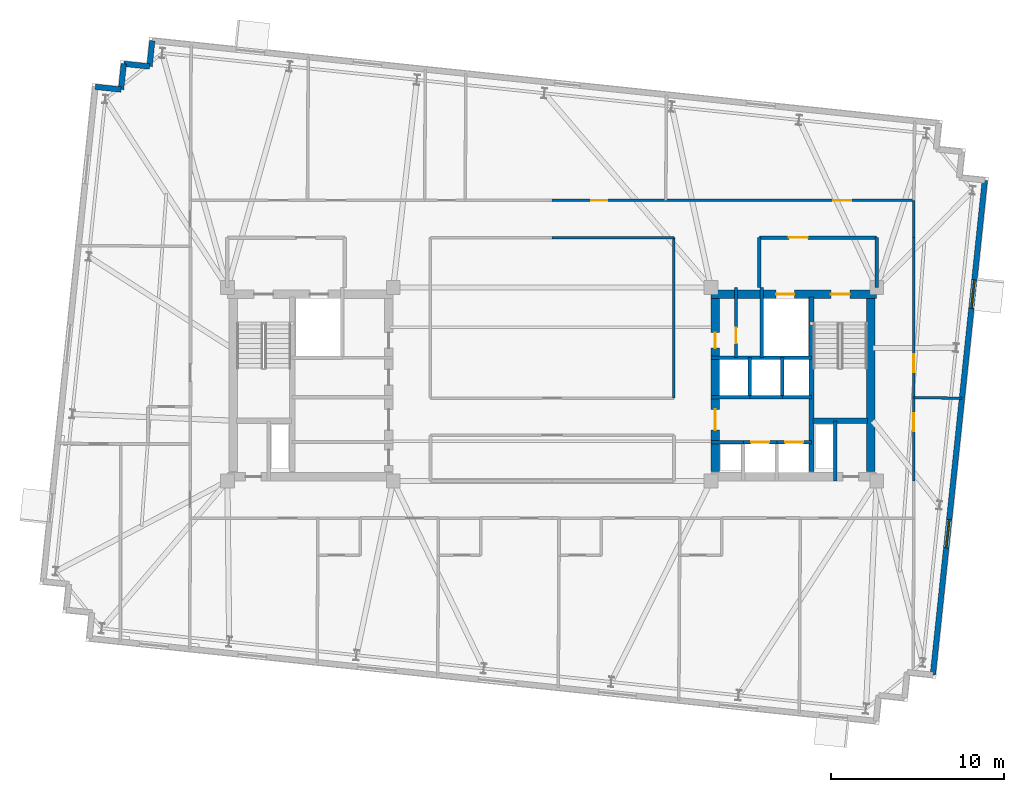
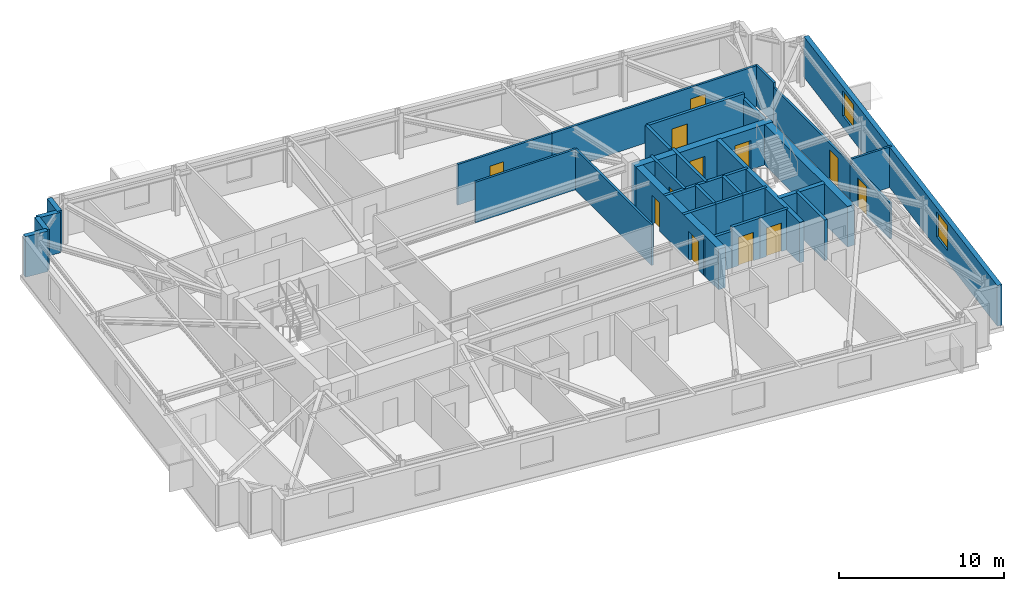
# One storey, part 8 of 11: 33 walls, 12 doors, 2 windows, 14 openings.
"""IFC4 building model written with IfcOpenShell, lengths in metres."""

from ifc_helpers import new_model, si_unit, direction, frame, frame_2d, origin, place, context, subcontext, project, spatial, rectangle, extrude, material, layer, layer_set, type_object, element, fill, save


model = new_model("IFC4")

# Units and contexts
model_context = context("Model", 3, precision=1e-05, world=origin(), true_north=direction((0.0, 1.0)))
body_context = subcontext(model_context, "Body", "Model", "MODEL_VIEW")
ifc_project = project(units=[si_unit("LENGTHUNIT", "METRE"), si_unit("AREAUNIT", "SQUARE_METRE"), si_unit("VOLUMEUNIT", "CUBIC_METRE"), si_unit("PLANEANGLEUNIT", "RADIAN"), si_unit("MASSUNIT", "GRAM", prefix="KILO")], contexts=[model_context])

# Site, building, storey
site_placement = place(None, origin())
site = spatial("IfcSite", under=ifc_project, at=site_placement, CompositionType="ELEMENT")
building_placement = place(site_placement, origin())
building = spatial("IfcBuilding", under=site, at=building_placement, Name="Qobustan Lattice House", CompositionType="ELEMENT")
storey_placement = place(building_placement, frame((0.0, 0.0, 219.85009765625)))
storey = spatial("IfcBuildingStorey", under=building, at=storey_placement, Name="L62", CompositionType="ELEMENT", Elevation=219.85009765625)

# Wall, openings, doors
ifc_material_1 = material(Name="Concrete C50/60", Category="concrete")
ifc_layer_1 = layer(ifc_material_1, 0.5)
ifc_layer_set_1 = layer_set([ifc_layer_1], Name="Concrete C50/60")
wall_type_1 = type_object("IfcWallType", Name="WAL-CORE-500", PredefinedType="SHEAR", material=ifc_layer_set_1)
wall_1_placement = place(storey_placement, frame((9.199951171875, 5.2099609375, 0.0), z_axis=(0.0, 0.0, 1.0), x_axis=(1.0, 0.0, 0.0)))
wall_1 = element("IfcWall", 1, at=wall_1_placement, inside=storey, type_object=wall_type_1, Name="L62 split-core shear wall CE-N", PredefinedType="SHEAR", context=body_context, shape_type="SweptSolid", body=[
    extrude(rectangle(XDim=9.60009765625, YDim=0.5, at=frame_2d((4.800048828125, 0.0))), origin(), (0.0, 0.0, 1.0), 3.0),
])
opening_1_placement = place(wall_1_placement, frame((6.949951171875, 0.0, 0.0)))
opening_1 = element("IfcOpeningElement", 2, at=opening_1_placement, cuts=wall_1, Name="Opening SD-01", PredefinedType="OPENING", context=body_context, shape_type="SweptSolid", body=[
    extrude(rectangle(XDim=1.10009765625, YDim=2.14990234375, at=frame_2d((0.550048828125, 1.074951171875))), frame((0.0, 0.260009765625, 0.0), z_axis=(0.0, -1.0, 0.0), x_axis=(1.0, 0.0, 0.0)), (0.0, 0.0, 1.0), 0.52001953125),
])
opening_2_placement = place(wall_1_placement, frame((3.77490234375, 0.0, 0.0)))
opening_2 = element("IfcOpeningElement", 3, at=opening_2_placement, cuts=wall_1, Name="Opening LD-01", PredefinedType="OPENING", context=body_context, shape_type="SweptSolid", body=[
    extrude(rectangle(XDim=1.050048828125, YDim=2.10009765625, at=frame_2d((0.52490234375, 1.050048828125))), frame((0.0, 0.260009765625, 0.0), z_axis=(0.0, -1.0, 0.0), x_axis=(1.0, 0.0, 0.0)), (0.0, 0.0, 1.0), 0.52001953125),
])
ifc_material_2 = material(Name="Persian walnut timber and steel frame door", Category="steel")
door_type_1 = type_object("IfcDoorType", Name="DOR-LIFT-LD-1050x2100", OperationType="NOTDEFINED", PredefinedType="DOOR", material=ifc_material_2)
door_1_placement = place(opening_2_placement, origin())
door_1 = element("IfcDoor", 4, at=door_1_placement, inside=storey, type_object=door_type_1, Name="L62 firefighting lift FF-E landing door", OperationType="DOUBLE_DOOR_SLIDING", OverallHeight=2.10009765625, OverallWidth=1.050048828125, PredefinedType="DOOR", context=body_context, shape_type="SweptSolid", body=[
    extrude(rectangle(XDim=1.050048828125, YDim=2.10009765625, at=frame_2d((0.52490234375, 1.050048828125))), frame((0.0, 0.02490234375, 0.0), z_axis=(0.0, -1.0, 0.0), x_axis=(1.0, 0.0, 0.0)), (0.0, 0.0, 1.0), 0.050048828125),
])
fill(opening_2, door_1)
ifc_material_3 = material(Name="Persian walnut timber and steel frame door", Category="steel")
door_type_2 = type_object("IfcDoorType", Name="DOR-STAIR-FD-1100x2150", OperationType="NOTDEFINED", PredefinedType="DOOR", material=ifc_material_3)
door_2_placement = place(opening_1_placement, origin())
door_2 = element("IfcDoor", 5, at=door_2_placement, inside=storey, type_object=door_type_2, Name="L62 exit stair ST-E1 fire door", OperationType="SINGLE_SWING_LEFT", OverallHeight=2.14990234375, OverallWidth=1.10009765625, PredefinedType="DOOR", context=body_context, shape_type="SweptSolid", body=[
    extrude(rectangle(XDim=1.10009765625, YDim=2.14990234375, at=frame_2d((0.550048828125, 1.074951171875))), frame((0.0, 0.02490234375, 0.0), z_axis=(0.0, -1.0, 0.0), x_axis=(1.0, 0.0, 0.0)), (0.0, 0.0, 1.0), 0.050048828125),
])
fill(opening_1, door_2)

wall_2_placement = place(storey_placement, frame((9.449951171875, -5.050048828125, 0.0), z_axis=(0.0, 0.0, 1.0), x_axis=(0.0, 1.0, 0.0)))
wall_2 = element("IfcWall", 6, at=wall_2_placement, inside=storey, type_object=wall_type_1, Name="L62 split-core shear wall CE-W", PredefinedType="SHEAR", context=body_context, shape_type="SweptSolid", body=[
    extrude(rectangle(XDim=10.10009765625, YDim=0.5, at=frame_2d((5.050048828125, 0.0))), origin(), (0.0, 0.0, 1.0), 3.0),
])
opening_3_placement = place(wall_2_placement, frame((7.14990234375, 0.0, 0.0)))
opening_3 = element("IfcOpeningElement", 7, at=opening_3_placement, cuts=wall_2, Name="Opening RD-01", PredefinedType="OPENING", context=body_context, shape_type="SweptSolid", body=[
    extrude(rectangle(XDim=0.89990234375, YDim=2.10009765625, at=frame_2d((0.449951171875, 1.050048828125))), frame((0.0, 0.260009765625, 0.0), z_axis=(0.0, -1.0, 0.0), x_axis=(1.0, 0.0, 0.0)), (0.0, 0.0, 1.0), 0.52001953125),
])
opening_4_placement = place(wall_2_placement, frame((2.39990234375, 0.0, 0.0)))
opening_4 = element("IfcOpeningElement", 8, at=opening_4_placement, cuts=wall_2, Name="Opening FD-01", PredefinedType="OPENING", context=body_context, shape_type="SweptSolid", body=[
    extrude(rectangle(XDim=1.199951171875, YDim=2.14990234375, at=frame_2d((0.60009765625, 1.074951171875))), frame((0.0, 0.260009765625, 0.0), z_axis=(0.0, -1.0, 0.0), x_axis=(1.0, 0.0, 0.0)), (0.0, 0.0, 1.0), 0.52001953125),
])
ifc_material_4 = material(Name="Persian walnut timber and steel frame door", Category="steel")
door_type_3 = type_object("IfcDoorType", Name="DOR-LOBBY-FD-1200x2150", OperationType="NOTDEFINED", PredefinedType="DOOR", material=ifc_material_4)
door_3_placement = place(opening_4_placement, origin())
door_3 = element("IfcDoor", 9, at=door_3_placement, inside=storey, type_object=door_type_3, Name="L62 East passenger lift lobby fire door", OperationType="SINGLE_SWING_RIGHT", OverallHeight=2.14990234375, OverallWidth=1.199951171875, PredefinedType="DOOR", context=body_context, shape_type="SweptSolid", body=[
    extrude(rectangle(XDim=1.199951171875, YDim=2.14990234375, at=frame_2d((0.60009765625, 1.074951171875))), frame((0.0, 0.02490234375, 0.0), z_axis=(0.0, -1.0, 0.0), x_axis=(1.0, 0.0, 0.0)), (0.0, 0.0, 1.0), 0.050048828125),
])
fill(opening_4, door_3)
ifc_material_5 = material(Name="Persian walnut timber and steel frame door", Category="steel")
door_type_4 = type_object("IfcDoorType", Name="DOR-RISER-FD-900x2100", OperationType="NOTDEFINED", PredefinedType="DOOR", material=ifc_material_5)
door_4_placement = place(opening_3_placement, origin())
door_4 = element("IfcDoor", 10, at=door_4_placement, inside=storey, type_object=door_type_4, Name="L62 Print and mail closet fire door", OperationType="SINGLE_SWING_LEFT", OverallHeight=2.10009765625, OverallWidth=0.89990234375, PredefinedType="DOOR", context=body_context, shape_type="SweptSolid", body=[
    extrude(rectangle(XDim=0.89990234375, YDim=2.10009765625, at=frame_2d((0.449951171875, 1.050048828125))), frame((0.0, 0.02490234375, 0.0), z_axis=(0.0, -1.0, 0.0), x_axis=(1.0, 0.0, 0.0)), (0.0, 0.0, 1.0), 0.050048828125),
])
fill(opening_3, door_4)

# Walls
wall_3_placement = place(storey_placement, frame((18.4599609375, -5.050048828125, 0.0), z_axis=(0.0, 0.0, 1.0), x_axis=(0.0, 1.0, 0.0)))
element("IfcWall", 11, at=wall_3_placement, inside=storey, type_object=wall_type_1, Name="L62 split-core shear wall CE-E", PredefinedType="SHEAR", context=body_context, shape_type="SweptSolid", body=[
    extrude(rectangle(XDim=10.10009765625, YDim=0.5, at=frame_2d((5.050048828125, 0.0))), origin(), (0.0, 0.0, 1.0), 3.0),
])
ifc_material_6 = material(Name="Concrete C50/60", Category="concrete")
ifc_layer_2 = layer(ifc_material_6, 0.280029296875)
ifc_layer_set_2 = layer_set([ifc_layer_2], Name="Concrete C50/60")
wall_type_2 = type_object("IfcWallType", Name="WAL-CORE-SPINE-280", PredefinedType="SHEAR", material=ifc_layer_set_2)
wall_4_placement = place(storey_placement, frame((15.02001953125, -5.050048828125, 0.0), z_axis=(0.0, 0.0, 1.0), x_axis=(0.0, 1.0, 0.0)))
element("IfcWall", 12, at=wall_4_placement, inside=storey, type_object=wall_type_2, Name="L62 split-core shear wall CE-M", PredefinedType="SHEAR", context=body_context, shape_type="SweptSolid", body=[
    extrude(rectangle(XDim=10.10009765625, YDim=0.300048828125, at=frame_2d((5.050048828125, 0.0))), origin(), (0.0, 0.0, 1.0), 3.0),
])
wall_5_placement = place(storey_placement, frame((15.10009765625, -2.110107421875, 0.0), z_axis=(0.0, 0.0, 1.0), x_axis=(1.0, 0.0, 0.0)))
element("IfcWall", 13, at=wall_5_placement, inside=storey, type_object=wall_type_2, Name="L62 split-core shear wall CE-ST", PredefinedType="SHEAR", context=body_context, shape_type="SweptSolid", body=[
    extrude(rectangle(XDim=3.179931640625, YDim=0.300048828125, at=frame_2d((1.58984375, 0.0))), origin(), (0.0, 0.0, 1.0), 3.0),
])
ifc_material_7 = material(Name="Precast concrete C40/50", Category="concrete")
ifc_layer_3 = layer(ifc_material_7, 0.320068359375)
ifc_layer_set_3 = layer_set([ifc_layer_3], Name="Precast concrete C40/50")
wall_type_3 = type_object("IfcWallType", Name="WAL-EXT-STONE-320", PredefinedType="SOLIDWALL", material=ifc_layer_set_3)
wall_6_placement = place(storey_placement, frame((-26.452880859375, 17.228515625, 0.0), z_axis=(0.0, 0.0, 1.0), x_axis=(0.994508128223, -0.104659366031, 0.0)))
element("IfcWall", 14, at=wall_6_placement, inside=storey, type_object=wall_type_3, Name="L62 exterior limestone-clad wall 6", PredefinedType="SOLIDWALL", context=body_context, shape_type="SweptSolid", body=[
    extrude(rectangle(XDim=1.5, YDim=0.320068359375, at=frame_2d((0.75, 0.0))), origin(), (0.0, 0.0, 1.0), 3.0),
])
wall_7_placement = place(storey_placement, frame((-24.961181640625, 17.071533203125, 0.0), z_axis=(0.0, 0.0, 1.0), x_axis=(0.104642427191, 0.994509910675, 0.0)))
element("IfcWall", 15, at=wall_7_placement, inside=storey, type_object=wall_type_3, Name="L62 exterior limestone-clad wall 7", PredefinedType="SOLIDWALL", context=body_context, shape_type="SweptSolid", body=[
    extrude(rectangle(XDim=1.500244140625, YDim=0.320068359375, at=frame_2d((0.75, 0.0))), origin(), (0.0, 0.0, 1.0), 3.0),
])
wall_8_placement = place(storey_placement, frame((-24.80419921875, 18.5634765625, 0.0), z_axis=(0.0, 0.0, 1.0), x_axis=(0.994508128223, -0.104659366031, 0.0)))
element("IfcWall", 16, at=wall_8_placement, inside=storey, type_object=wall_type_3, Name="L62 exterior limestone-clad wall 8", PredefinedType="SOLIDWALL", context=body_context, shape_type="SweptSolid", body=[
    extrude(rectangle(XDim=1.5, YDim=0.320068359375, at=frame_2d((0.75, 0.0))), origin(), (0.0, 0.0, 1.0), 3.0),
])
wall_9_placement = place(storey_placement, frame((-23.3125, 18.406494140625, 0.0), z_axis=(0.0, 0.0, 1.0), x_axis=(0.104481464157, 0.994526834051, 0.0)))
element("IfcWall", 17, at=wall_9_placement, inside=storey, type_object=wall_type_3, Name="L62 exterior limestone-clad wall 9", PredefinedType="SOLIDWALL", context=body_context, shape_type="SweptSolid", body=[
    extrude(rectangle(XDim=1.500244140625, YDim=0.320068359375, at=frame_2d((0.75, 0.0))), origin(), (0.0, 0.0, 1.0), 3.0),
])

# Wall, openings, windows
wall_10_placement = place(storey_placement, frame((25.063232421875, 11.813720703125, 0.0), z_axis=(0.0, 0.0, 1.0), x_axis=(-0.104523275986, -0.99452244056, 0.0)))
wall_10 = element("IfcWall", 18, at=wall_10_placement, inside=storey, type_object=wall_type_3, Name="L62 exterior limestone-clad wall 15", PredefinedType="SOLIDWALL", context=body_context, shape_type="SweptSolid", body=[
    extrude(rectangle(XDim=28.7998046875, YDim=0.320068359375, at=frame_2d((14.39990234375, 0.0))), origin(), (0.0, 0.0, 1.0), 3.0),
])
opening_5_placement = place(wall_10_placement, frame((5.79345703125, 0.0, 0.85009765625)))
opening_5 = element("IfcOpeningElement", 19, at=opening_5_placement, cuts=wall_10, Name="Opening WN-09", PredefinedType="OPENING", context=body_context, shape_type="SweptSolid", body=[
    extrude(rectangle(XDim=1.64990234375, YDim=1.85009765625, at=frame_2d((0.824951171875, 0.925048828125))), frame((0.0, 0.169921875, 0.0), z_axis=(0.0, -1.0, 0.0), x_axis=(1.0, 0.0, 0.0)), (0.0, 0.0, 1.0), 0.340087890625),
])
opening_6_placement = place(wall_10_placement, frame((19.752197265625, 0.0, 0.85009765625)))
opening_6 = element("IfcOpeningElement", 20, at=opening_6_placement, cuts=wall_10, Name="Opening WN-09", PredefinedType="OPENING", context=body_context, shape_type="SweptSolid", body=[
    extrude(rectangle(XDim=1.64990234375, YDim=1.85009765625, at=frame_2d((0.824951171875, 0.925048828125))), frame((0.0, 0.169921875, 0.0), z_axis=(0.0, -1.0, 0.0), x_axis=(1.0, 0.0, 0.0)), (0.0, 0.0, 1.0), 0.340087890625),
])
ifc_material_8 = material(Name="Double-glazed low-E aluminium window", Category="aluminium")
window_type = type_object("IfcWindowType", Name="WIN-STU-1650x1850", PartitioningType="SINGLE_PANEL", PredefinedType="WINDOW", material=ifc_material_8)
window_1_placement = place(opening_5_placement, origin())
window_1 = element("IfcWindow", 21, at=window_1_placement, inside=storey, type_object=window_type, Name="L62 Collaborative tutorial room window", OverallHeight=1.85009765625, OverallWidth=1.64990234375, PartitioningType="SINGLE_PANEL", PredefinedType="WINDOW", context=body_context, shape_type="SweptSolid", body=[
    extrude(rectangle(XDim=1.64990234375, YDim=1.85009765625, at=frame_2d((0.824951171875, 0.925048828125))), frame((0.0, 0.030029296875, 0.0), z_axis=(0.0, -1.0, 0.0), x_axis=(1.0, 0.0, 0.0)), (0.0, 0.0, 1.0), 0.06005859375),
])
fill(opening_5, window_1)
window_2_placement = place(opening_6_placement, origin())
window_2 = element("IfcWindow", 22, at=window_2_placement, inside=storey, type_object=window_type, Name="L62 Fellows reading room window", OverallHeight=1.85009765625, OverallWidth=1.64990234375, PartitioningType="SINGLE_PANEL", PredefinedType="WINDOW", context=body_context, shape_type="SweptSolid", body=[
    extrude(rectangle(XDim=1.64990234375, YDim=1.85009765625, at=frame_2d((0.824951171875, 0.925048828125))), frame((0.0, 0.030029296875, 0.0), z_axis=(0.0, -1.0, 0.0), x_axis=(1.0, 0.0, 0.0)), (0.0, 0.0, 1.0), 0.06005859375),
])
fill(opening_6, window_2)

# Wall, opening, door
ifc_material_9 = material(Name="Gypsum fireboard acoustic partition", Category="gypsum")
ifc_layer_4 = layer(ifc_material_9, 0.179931640625)
ifc_layer_set_4 = layer_set([ifc_layer_4], Name="Gypsum fireboard acoustic partition")
wall_type_4 = type_object("IfcWallType", Name="WAL-FIRE-180", PredefinedType="PARTITIONING", material=ifc_layer_set_4)
wall_11_placement = place(storey_placement, frame((10.64990234375, 1.550048828125, 0.0), z_axis=(0.0, 0.0, 1.0), x_axis=(0.0, 1.0, 0.0)))
wall_11 = element("IfcWall", 23, at=wall_11_placement, inside=storey, type_object=wall_type_4, Name="L62 interior partition 18", PredefinedType="PARTITIONING", context=body_context, shape_type="SweptSolid", body=[
    extrude(rectangle(XDim=4.050048828125, YDim=0.179931640625, at=frame_2d((2.02490234375, 0.0))), origin(), (0.0, 0.0, 1.0), 3.0),
])
opening_7_placement = place(wall_11_placement, frame((0.828857421875, 0.0, 0.0)))
opening_7 = element("IfcOpeningElement", 24, at=opening_7_placement, cuts=wall_11, Name="Opening RD-01", PredefinedType="OPENING", context=body_context, shape_type="SweptSolid", body=[
    extrude(rectangle(XDim=0.89990234375, YDim=2.10009765625, at=frame_2d((0.449951171875, 1.050048828125))), frame((0.0, 0.099853515625, 0.0), z_axis=(0.0, -1.0, 0.0), x_axis=(1.0, 0.0, 0.0)), (0.0, 0.0, 1.0), 0.199951171875),
])
door_5_placement = place(opening_7_placement, origin())
door_5 = element("IfcDoor", 25, at=door_5_placement, inside=storey, type_object=door_type_4, Name="L62 Print and mail closet to Core utility store door", OperationType="SINGLE_SWING_RIGHT", OverallHeight=2.10009765625, OverallWidth=0.89990234375, PredefinedType="DOOR", context=body_context, shape_type="SweptSolid", body=[
    extrude(rectangle(XDim=0.89990234375, YDim=2.10009765625, at=frame_2d((0.449951171875, 1.050048828125))), frame((0.0, 0.02490234375, 0.0), z_axis=(0.0, -1.0, 0.0), x_axis=(1.0, 0.0, 0.0)), (0.0, 0.0, 1.0), 0.050048828125),
])
fill(opening_7, door_5)

# Wall
ifc_material_10 = material(Name="Acoustic twin-stud gypsum partition", Category="gypsum")
ifc_layer_5 = layer(ifc_material_10, 0.14990234375)
ifc_layer_set_5 = layer_set([ifc_layer_5], Name="Acoustic twin-stud gypsum partition")
wall_type_5 = type_object("IfcWallType", Name="WAL-PART-150", PredefinedType="PARTITIONING", material=ifc_layer_set_5)
wall_12_placement = place(storey_placement, frame((20.949951171875, 10.64990234375, 0.0), z_axis=(0.0, 0.0, 1.0), x_axis=(0.0, -1.0, 0.0)))
element("IfcWall", 26, at=wall_12_placement, inside=storey, type_object=wall_type_5, Name="L62 interior partition 37", PredefinedType="PARTITIONING", context=body_context, shape_type="SweptSolid", body=[
    extrude(rectangle(XDim=2.14990234375, YDim=0.14990234375, at=frame_2d((1.074951171875, 0.0))), origin(), (0.0, 0.0, 1.0), 3.0),
])

# Wall, opening, door
wall_13_placement = place(storey_placement, frame((0.0, 10.64990234375, 0.0), z_axis=(0.0, 0.0, 1.0), x_axis=(1.0, 0.0, 0.0)))
wall_13 = element("IfcWall", 27, at=wall_13_placement, inside=storey, type_object=wall_type_5, Name="L62 interior partition 38", PredefinedType="PARTITIONING", context=body_context, shape_type="SweptSolid", body=[
    extrude(rectangle(XDim=6.5830078125, YDim=0.14990234375, at=frame_2d((3.29150390625, 0.0))), origin(), (0.0, 0.0, 1.0), 3.0),
])
opening_8_placement = place(wall_13_placement, frame((2.25732421875, 0.0, 0.0)))
opening_8 = element("IfcOpeningElement", 28, at=opening_8_placement, cuts=wall_13, Name="Opening ID-01", PredefinedType="OPENING", context=body_context, shape_type="SweptSolid", body=[
    extrude(rectangle(XDim=0.949951171875, YDim=2.10009765625, at=frame_2d((0.47509765625, 1.050048828125))), frame((0.0, 0.0849609375, 0.0), z_axis=(0.0, -1.0, 0.0), x_axis=(1.0, 0.0, 0.0)), (0.0, 0.0, 1.0), 0.169921875),
])
ifc_material_11 = material(Name="Persian walnut timber and steel frame door", Category="steel")
door_type_5 = type_object("IfcDoorType", Name="DOR-ROOM-950x2100", OperationType="NOTDEFINED", PredefinedType="DOOR", material=ifc_material_11)
door_6_placement = place(opening_8_placement, origin())
door_6 = element("IfcDoor", 29, at=door_6_placement, inside=storey, type_object=door_type_5, Name="L62 North-east floor corridor to Laundry utility room door", OperationType="SINGLE_SWING_LEFT", OverallHeight=2.10009765625, OverallWidth=0.949951171875, PredefinedType="DOOR", context=body_context, shape_type="SweptSolid", body=[
    extrude(rectangle(XDim=0.949951171875, YDim=2.10009765625, at=frame_2d((0.47509765625, 1.050048828125))), frame((0.0, 0.02490234375, 0.0), z_axis=(0.0, -1.0, 0.0), x_axis=(1.0, 0.0, 0.0)), (0.0, 0.0, 1.0), 0.050048828125),
])
fill(opening_8, door_6)

wall_14_placement = place(storey_placement, frame((6.5830078125, 10.64990234375, 0.0), z_axis=(0.0, 0.0, 1.0), x_axis=(1.0, 0.0, 0.0)))
wall_14 = element("IfcWall", 30, at=wall_14_placement, inside=storey, type_object=wall_type_5, Name="L62 interior partition 39", PredefinedType="PARTITIONING", context=body_context, shape_type="SweptSolid", body=[
    extrude(rectangle(XDim=14.366943359375, YDim=0.14990234375, at=frame_2d((7.18359375, 0.0))), origin(), (0.0, 0.0, 1.0), 3.0),
])
opening_9_placement = place(wall_14_placement, frame((9.69775390625, 0.0, 0.0)))
opening_9 = element("IfcOpeningElement", 31, at=opening_9_placement, cuts=wall_14, Name="Opening ID-02", PredefinedType="OPENING", context=body_context, shape_type="SweptSolid", body=[
    extrude(rectangle(XDim=1.050048828125, YDim=2.14990234375, at=frame_2d((0.52490234375, 1.074951171875))), frame((0.0, 0.0849609375, 0.0), z_axis=(0.0, -1.0, 0.0), x_axis=(1.0, 0.0, 0.0)), (0.0, 0.0, 1.0), 0.169921875),
])
ifc_material_12 = material(Name="Persian walnut timber and steel frame door", Category="steel")
door_type_6 = type_object("IfcDoorType", Name="DOR-STUDY-1050x2150", OperationType="NOTDEFINED", PredefinedType="DOOR", material=ifc_material_12)
door_7_placement = place(opening_9_placement, origin())
door_7 = element("IfcDoor", 32, at=door_7_placement, inside=storey, type_object=door_type_6, Name="L62 North-east floor corridor to Focus study room N3 door", OperationType="SINGLE_SWING_RIGHT", OverallHeight=2.14990234375, OverallWidth=1.050048828125, PredefinedType="DOOR", context=body_context, shape_type="SweptSolid", body=[
    extrude(rectangle(XDim=1.050048828125, YDim=2.14990234375, at=frame_2d((0.52490234375, 1.074951171875))), frame((0.0, 0.02490234375, 0.0), z_axis=(0.0, -1.0, 0.0), x_axis=(1.0, 0.0, 0.0)), (0.0, 0.0, 1.0), 0.050048828125),
])
fill(opening_9, door_7)

# Wall
wall_15_placement = place(storey_placement, frame((7.050048828125, 8.5, 0.0), z_axis=(0.0, 0.0, 1.0), x_axis=(-1.0, 0.0, 0.0)))
element("IfcWall", 33, at=wall_15_placement, inside=storey, type_object=wall_type_5, Name="L62 interior partition 40", PredefinedType="PARTITIONING", context=body_context, shape_type="SweptSolid", body=[
    extrude(rectangle(XDim=7.050048828125, YDim=0.14990234375, at=frame_2d((3.52490234375, 0.0))), origin(), (0.0, 0.0, 1.0), 3.0),
])

# Wall, opening, door
wall_16_placement = place(storey_placement, frame((20.949951171875, -0.76318359375, 0.0), z_axis=(0.0, 0.0, 1.0), x_axis=(0.0, -1.0, 0.0)))
wall_16 = element("IfcWall", 34, at=wall_16_placement, inside=storey, type_object=wall_type_5, Name="L62 interior partition 60", PredefinedType="PARTITIONING", context=body_context, shape_type="SweptSolid", body=[
    extrude(rectangle(XDim=4.8369140625, YDim=0.14990234375, at=frame_2d((2.41845703125, 0.0))), origin(), (0.0, 0.0, 1.0), 2.65478515625),
])
opening_10_placement = place(wall_16_placement, frame((0.908203125, 0.0, 0.0)))
opening_10 = element("IfcOpeningElement", 35, at=opening_10_placement, cuts=wall_16, Name="Opening ID-02", PredefinedType="OPENING", context=body_context, shape_type="SweptSolid", body=[
    extrude(rectangle(XDim=1.050048828125, YDim=2.14990234375, at=frame_2d((0.52490234375, 1.074951171875))), frame((0.0, 0.0849609375, 0.0), z_axis=(0.0, -1.0, 0.0), x_axis=(1.0, 0.0, 0.0)), (0.0, 0.0, 1.0), 0.169921875),
])
door_8_placement = place(opening_10_placement, origin())
door_8 = element("IfcDoor", 36, at=door_8_placement, inside=storey, type_object=door_type_6, Name="L62 East wing spine gallery to Fellows reading room door", OperationType="SINGLE_SWING_LEFT", OverallHeight=2.14990234375, OverallWidth=1.050048828125, PredefinedType="DOOR", context=body_context, shape_type="SweptSolid", body=[
    extrude(rectangle(XDim=1.050048828125, YDim=2.14990234375, at=frame_2d((0.52490234375, 1.074951171875))), frame((0.0, 0.02490234375, 0.0), z_axis=(0.0, -1.0, 0.0), x_axis=(1.0, 0.0, 0.0)), (0.0, 0.0, 1.0), 0.050048828125),
])
fill(opening_10, door_8)

wall_17_placement = place(storey_placement, frame((20.949951171875, 8.5, 0.0), z_axis=(0.0, 0.0, 1.0), x_axis=(0.0, -1.0, 0.0)))
wall_17 = element("IfcWall", 37, at=wall_17_placement, inside=storey, type_object=wall_type_5, Name="L62 interior partition 61", PredefinedType="PARTITIONING", context=body_context, shape_type="SweptSolid", body=[
    extrude(rectangle(XDim=9.26318359375, YDim=0.14990234375, at=frame_2d((4.631591796875, 0.0))), origin(), (0.0, 0.0, 1.0), 2.65478515625),
])
opening_11_placement = place(wall_17_placement, frame((6.75146484375, 0.0, 0.0)))
opening_11 = element("IfcOpeningElement", 38, at=opening_11_placement, cuts=wall_17, Name="Opening ID-02", PredefinedType="OPENING", context=body_context, shape_type="SweptSolid", body=[
    extrude(rectangle(XDim=1.050048828125, YDim=2.14990234375, at=frame_2d((0.52490234375, 1.074951171875))), frame((0.0, 0.0849609375, 0.0), z_axis=(0.0, -1.0, 0.0), x_axis=(1.0, 0.0, 0.0)), (0.0, 0.0, 1.0), 0.169921875),
])
door_9_placement = place(opening_11_placement, origin())
door_9 = element("IfcDoor", 39, at=door_9_placement, inside=storey, type_object=door_type_6, Name="L62 East wing spine gallery to Collaborative tutorial room door", OperationType="SINGLE_SWING_RIGHT", OverallHeight=2.14990234375, OverallWidth=1.050048828125, PredefinedType="DOOR", context=body_context, shape_type="SweptSolid", body=[
    extrude(rectangle(XDim=1.050048828125, YDim=2.14990234375, at=frame_2d((0.52490234375, 1.074951171875))), frame((0.0, 0.02490234375, 0.0), z_axis=(0.0, -1.0, 0.0), x_axis=(1.0, 0.0, 0.0)), (0.0, 0.0, 1.0), 0.050048828125),
])
fill(opening_11, door_9)

# Walls
wall_18_placement = place(storey_placement, frame((7.050048828125, -0.800048828125, 0.0), z_axis=(0.0, 0.0, 1.0), x_axis=(0.0, 1.0, 0.0)))
element("IfcWall", 40, at=wall_18_placement, inside=storey, type_object=wall_type_5, Name="L62 interior partition 66", PredefinedType="PARTITIONING", context=body_context, shape_type="SweptSolid", body=[
    extrude(rectangle(XDim=9.300048828125, YDim=0.14990234375, at=frame_2d((4.64990234375, 0.0))), origin(), (0.0, 0.0, 1.0), 3.0),
])
wall_19_placement = place(storey_placement, frame((20.949951171875, -0.76318359375, 0.0), z_axis=(0.0, 0.0, 1.0), x_axis=(0.999875696831, -0.015766765259, 0.0)))
element("IfcWall", 41, at=wall_19_placement, inside=storey, type_object=wall_type_5, Name="L62 interior partition 77", PredefinedType="PARTITIONING", context=body_context, shape_type="SweptSolid", body=[
    extrude(rectangle(XDim=2.787109375, YDim=0.14990234375, at=frame_2d((1.3935546875, 0.0))), origin(), (0.0, 0.0, 1.0), 3.0),
])

# Wall, opening, door
ifc_material_13 = material(Name="Two-hour gypsum fireboard acoustic partition", Category="gypsum")
ifc_layer_6 = layer(ifc_material_13, 0.199951171875)
ifc_layer_set_6 = layer_set([ifc_layer_6], Name="Two-hour gypsum fireboard acoustic partition")
wall_type_6 = type_object("IfcWallType", Name="WAL-PROT-200", PredefinedType="PARTITIONING", material=ifc_layer_set_6)
wall_20_placement = place(storey_placement, frame((18.800048828125, 8.5, 0.0), z_axis=(0.0, 0.0, 1.0), x_axis=(-1.0, 0.0, 0.0)))
wall_20 = element("IfcWall", 42, at=wall_20_placement, inside=storey, type_object=wall_type_6, Name="L62 interior partition 15", PredefinedType="PARTITIONING", context=body_context, shape_type="SweptSolid", body=[
    extrude(rectangle(XDim=6.800048828125, YDim=0.199951171875, at=frame_2d((3.39990234375, 0.0))), origin(), (0.0, 0.0, 1.0), 3.0),
])
opening_12_placement = place(wall_20_placement, frame((3.985107421875, 0.0, 0.0)))
opening_12 = element("IfcOpeningElement", 43, at=opening_12_placement, cuts=wall_20, Name="Opening SD-01", PredefinedType="OPENING", context=body_context, shape_type="SweptSolid", body=[
    extrude(rectangle(XDim=1.10009765625, YDim=2.14990234375, at=frame_2d((0.550048828125, 1.074951171875))), frame((0.0, 0.10986328125, 0.0), z_axis=(0.0, -1.0, 0.0), x_axis=(1.0, 0.0, 0.0)), (0.0, 0.0, 1.0), 0.219970703125),
])
door_10_placement = place(opening_12_placement, origin())
door_10 = element("IfcDoor", 44, at=door_10_placement, inside=storey, type_object=door_type_2, Name="L62 East firefighting lift lobby to North-east floor corridor door", OperationType="SINGLE_SWING_LEFT", OverallHeight=2.14990234375, OverallWidth=1.10009765625, PredefinedType="DOOR", context=body_context, shape_type="SweptSolid", body=[
    extrude(rectangle(XDim=1.10009765625, YDim=2.14990234375, at=frame_2d((0.550048828125, 1.074951171875))), frame((0.0, 0.02490234375, 0.0), z_axis=(0.0, -1.0, 0.0), x_axis=(1.0, 0.0, 0.0)), (0.0, 0.0, 1.0), 0.050048828125),
])
fill(opening_12, door_10)

# Walls
wall_21_placement = place(storey_placement, frame((18.800048828125, 5.60009765625, 0.0), z_axis=(0.0, 0.0, 1.0), x_axis=(0.0, 1.0, 0.0)))
element("IfcWall", 45, at=wall_21_placement, inside=storey, type_object=wall_type_6, Name="L62 interior partition 16", PredefinedType="PARTITIONING", context=body_context, shape_type="SweptSolid", body=[
    extrude(rectangle(XDim=2.89990234375, YDim=0.199951171875, at=frame_2d((1.449951171875, 0.0))), origin(), (0.0, 0.0, 1.0), 2.625),
])
wall_22_placement = place(storey_placement, frame((12.0, 8.5, 0.0), z_axis=(0.0, 0.0, 1.0), x_axis=(0.0, -1.0, 0.0)))
element("IfcWall", 46, at=wall_22_placement, inside=storey, type_object=wall_type_6, Name="L62 interior partition 17", PredefinedType="PARTITIONING", context=body_context, shape_type="SweptSolid", body=[
    extrude(rectangle(XDim=2.89990234375, YDim=0.199951171875, at=frame_2d((1.449951171875, 0.0))), origin(), (0.0, 0.0, 1.0), 3.0),
])
ifc_material_14 = material(Name="Concrete C40/50", Category="concrete")
ifc_layer_7 = layer(ifc_material_14, 0.199951171875)
ifc_layer_set_7 = layer_set([ifc_layer_7], Name="Concrete C40/50")
wall_type_7 = type_object("IfcWallType", Name="WAL-SHAFT-200", PredefinedType="PARTITIONING", material=ifc_layer_set_7)
wall_23_placement = place(storey_placement, frame((16.39990234375, -2.110107421875, 0.0), z_axis=(0.0, 0.0, 1.0), x_axis=(0.0, -1.0, 0.0)))
element("IfcWall", 47, at=wall_23_placement, inside=storey, type_object=wall_type_7, Name="L62 interior partition 13", PredefinedType="PARTITIONING", context=body_context, shape_type="SweptSolid", body=[
    extrude(rectangle(XDim=3.489990234375, YDim=0.199951171875, at=frame_2d((1.7451171875, 0.0))), origin(), (0.0, 0.0, 1.0), 3.0),
])
wall_24_placement = place(storey_placement, frame((12.14990234375, 5.60009765625, 0.0), z_axis=(0.0, 0.0, 1.0), x_axis=(0.0, -1.0, 0.0)))
element("IfcWall", 48, at=wall_24_placement, inside=storey, type_object=wall_type_7, Name="L62 interior partition 14", PredefinedType="PARTITIONING", context=body_context, shape_type="SweptSolid", body=[
    extrude(rectangle(XDim=4.050048828125, YDim=0.199951171875, at=frame_2d((2.02490234375, 0.0))), origin(), (0.0, 0.0, 1.0), 3.0),
])
wall_25_placement = place(storey_placement, frame((9.199951171875, -3.35009765625, 0.0), z_axis=(0.0, 0.0, 1.0), x_axis=(1.0, 0.0, 0.0)))
element("IfcWall", 49, at=wall_25_placement, inside=storey, type_object=wall_type_7, Name="L62 interior partition 20", PredefinedType="PARTITIONING", context=body_context, shape_type="SweptSolid", body=[
    extrude(rectangle(XDim=1.880126953125, YDim=0.199951171875, at=frame_2d((0.93994140625, 0.0))), origin(), (0.0, 0.0, 1.0), 2.71484375),
])

# Wall, opening, door
wall_26_placement = place(storey_placement, frame((11.080078125, -3.35009765625, 0.0), z_axis=(0.0, 0.0, 1.0), x_axis=(1.0, 0.0, 0.0)))
wall_26 = element("IfcWall", 50, at=wall_26_placement, inside=storey, type_object=wall_type_7, Name="L62 interior partition 21", PredefinedType="PARTITIONING", context=body_context, shape_type="SweptSolid", body=[
    extrude(rectangle(XDim=1.93994140625, YDim=0.199951171875, at=frame_2d((0.969970703125, 0.0))), origin(), (0.0, 0.0, 1.0), 3.0),
])
opening_13_placement = place(wall_26_placement, frame((0.445068359375, 0.0, 0.0)))
opening_13 = element("IfcOpeningElement", 51, at=opening_13_placement, cuts=wall_26, Name="Opening LD-01", PredefinedType="OPENING", context=body_context, shape_type="SweptSolid", body=[
    extrude(rectangle(XDim=1.050048828125, YDim=2.10009765625, at=frame_2d((0.52490234375, 1.050048828125))), frame((0.0, 0.10986328125, 0.0), z_axis=(0.0, -1.0, 0.0), x_axis=(1.0, 0.0, 0.0)), (0.0, 0.0, 1.0), 0.219970703125),
])
door_11_placement = place(opening_13_placement, origin())
door_11 = element("IfcDoor", 52, at=door_11_placement, inside=storey, type_object=door_type_1, Name="L62 lift landing door", OperationType="DOUBLE_DOOR_SLIDING", OverallHeight=2.10009765625, OverallWidth=1.050048828125, PredefinedType="DOOR", context=body_context, shape_type="SweptSolid", body=[
    extrude(rectangle(XDim=1.050048828125, YDim=2.10009765625, at=frame_2d((0.52490234375, 1.050048828125))), frame((0.0, 0.02490234375, 0.0), z_axis=(0.0, -1.0, 0.0), x_axis=(1.0, 0.0, 0.0)), (0.0, 0.0, 1.0), 0.050048828125),
])
fill(opening_13, door_11)

wall_27_placement = place(storey_placement, frame((13.02001953125, -3.35009765625, 0.0), z_axis=(0.0, 0.0, 1.0), x_axis=(1.0, 0.0, 0.0)))
wall_27 = element("IfcWall", 53, at=wall_27_placement, inside=storey, type_object=wall_type_7, Name="L62 interior partition 22", PredefinedType="PARTITIONING", context=body_context, shape_type="SweptSolid", body=[
    extrude(rectangle(XDim=2.0, YDim=0.199951171875, at=frame_2d((1.0, 0.0))), origin(), (0.0, 0.0, 1.0), 3.0),
])
opening_14_placement = place(wall_27_placement, frame((0.47509765625, 0.0, 0.0)))
opening_14 = element("IfcOpeningElement", 54, at=opening_14_placement, cuts=wall_27, Name="Opening LD-01", PredefinedType="OPENING", context=body_context, shape_type="SweptSolid", body=[
    extrude(rectangle(XDim=1.050048828125, YDim=2.10009765625, at=frame_2d((0.52490234375, 1.050048828125))), frame((0.0, 0.10986328125, 0.0), z_axis=(0.0, -1.0, 0.0), x_axis=(1.0, 0.0, 0.0)), (0.0, 0.0, 1.0), 0.219970703125),
])
door_12_placement = place(opening_14_placement, origin())
door_12 = element("IfcDoor", 55, at=door_12_placement, inside=storey, type_object=door_type_1, Name="L62 lift landing door", OperationType="DOUBLE_DOOR_SLIDING", OverallHeight=2.10009765625, OverallWidth=1.050048828125, PredefinedType="DOOR", context=body_context, shape_type="SweptSolid", body=[
    extrude(rectangle(XDim=1.050048828125, YDim=2.10009765625, at=frame_2d((0.52490234375, 1.050048828125))), frame((0.0, 0.02490234375, 0.0), z_axis=(0.0, -1.0, 0.0), x_axis=(1.0, 0.0, 0.0)), (0.0, 0.0, 1.0), 0.050048828125),
])
fill(opening_14, door_12)

# Walls
wall_28_placement = place(storey_placement, frame((11.4599609375, -0.75, 0.0), z_axis=(0.0, 0.0, 1.0), x_axis=(-1.0, 0.0, 0.0)))
element("IfcWall", 56, at=wall_28_placement, inside=storey, type_object=wall_type_7, Name="L62 interior partition 23", PredefinedType="PARTITIONING", context=body_context, shape_type="SweptSolid", body=[
    extrude(rectangle(XDim=2.260009765625, YDim=0.199951171875, at=frame_2d((1.1298828125, 0.0))), origin(), (0.0, 0.0, 1.0), 3.0),
])
wall_29_placement = place(storey_placement, frame((13.340087890625, -0.75, 0.0), z_axis=(0.0, 0.0, 1.0), x_axis=(-1.0, 0.0, 0.0)))
element("IfcWall", 57, at=wall_29_placement, inside=storey, type_object=wall_type_7, Name="L62 interior partition 24", PredefinedType="PARTITIONING", context=body_context, shape_type="SweptSolid", body=[
    extrude(rectangle(XDim=1.880126953125, YDim=0.199951171875, at=frame_2d((0.93994140625, 0.0))), origin(), (0.0, 0.0, 1.0), 3.0),
])
wall_30_placement = place(storey_placement, frame((15.02001953125, -0.75, 0.0), z_axis=(0.0, 0.0, 1.0), x_axis=(-1.0, 0.0, 0.0)))
element("IfcWall", 58, at=wall_30_placement, inside=storey, type_object=wall_type_7, Name="L62 interior partition 25", PredefinedType="PARTITIONING", context=body_context, shape_type="SweptSolid", body=[
    extrude(rectangle(XDim=1.679931640625, YDim=0.199951171875, at=frame_2d((0.83984375, 0.0))), origin(), (0.0, 0.0, 1.0), 3.0),
])
for number, where, z_axis, x_axis, name in (
    (59, (11.4599609375, -0.75, 0.0), (0.0, 0.0, 1.0), (0.0, 1.0, 0.0), "L62 interior partition 29"),
    (60, (13.340087890625, -0.75, 0.0), (0.0, 0.0, 1.0), (0.0, 1.0, 0.0), "L62 interior partition 30"),
):
    element("IfcWall", number, at=place(storey_placement, frame(where, z_axis=z_axis, x_axis=x_axis)), inside=storey, type_object=wall_type_7, Name=name, PredefinedType="PARTITIONING", context=body_context, shape_type="SweptSolid", body=[
        extrude(rectangle(XDim=2.300048828125, YDim=0.199951171875, at=frame_2d((1.14990234375, 0.0))), origin(), (0.0, 0.0, 1.0), 3.0),
    ])
wall_31_placement = place(storey_placement, frame((9.199951171875, 1.550048828125, 0.0), z_axis=(0.0, 0.0, 1.0), x_axis=(1.0, 0.0, 0.0)))
element("IfcWall", 61, at=wall_31_placement, inside=storey, type_object=wall_type_7, Name="L62 interior partition 102", PredefinedType="PARTITIONING", context=body_context, shape_type="SweptSolid", body=[
    extrude(rectangle(XDim=5.820068359375, YDim=0.199951171875, at=frame_2d((2.91015625, 0.0))), origin(), (0.0, 0.0, 1.0), 3.0),
])

save(model, "model.ifc")
